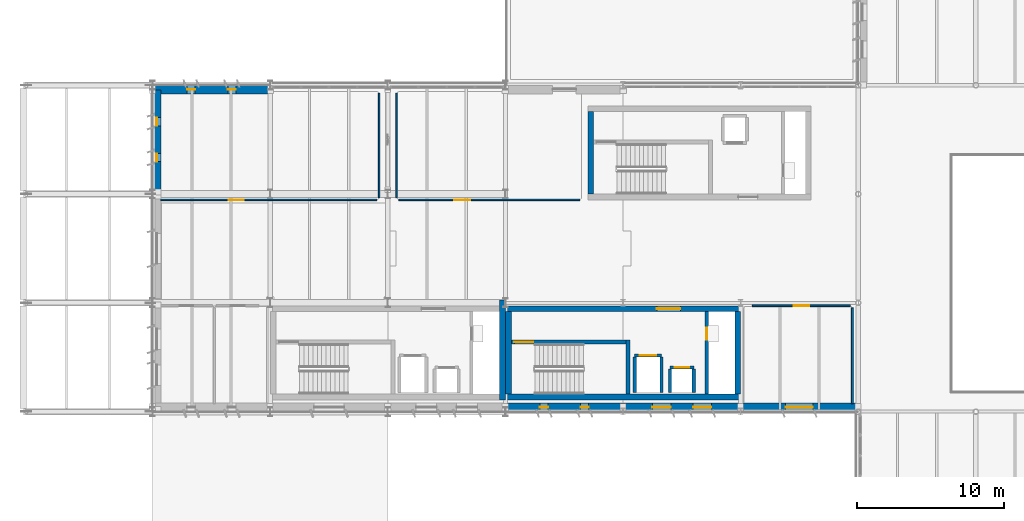
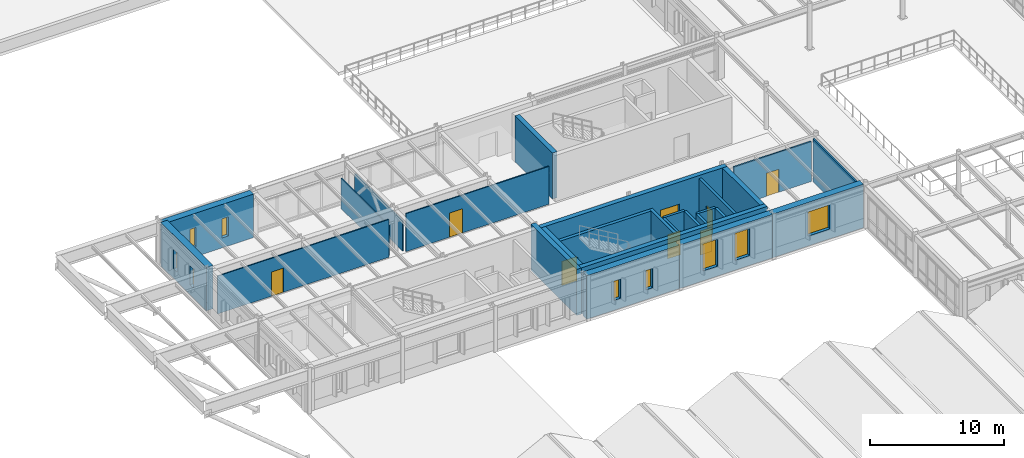
# One storey, part 40 of 63: 26 walls, 9 windows, 8 doors, 17 openings.
"""IFC4 building model written with IfcOpenShell, lengths in metres."""

from ifc_helpers import new_model, si_unit, direction, frame, frame_2d, origin, place, context, subcontext, project, spatial, rectangle, extrude, material, layer, layer_set, type_object, element, fill, save


model = new_model("IFC4")

# Units and contexts
model_context = context("Model", 3, precision=1e-05, world=origin(), true_north=direction((0.0, 1.0)))
body_context = subcontext(model_context, "Body", "Model", "MODEL_VIEW")
ifc_project = project(units=[si_unit("LENGTHUNIT", "METRE"), si_unit("AREAUNIT", "SQUARE_METRE"), si_unit("VOLUMEUNIT", "CUBIC_METRE"), si_unit("PLANEANGLEUNIT", "RADIAN"), si_unit("MASSUNIT", "GRAM", prefix="KILO")], contexts=[model_context])

# Site, building, storey
site_placement = place(None, origin())
site = spatial("IfcSite", under=ifc_project, at=site_placement, CompositionType="ELEMENT")
building_placement = place(site_placement, origin())
building = spatial("IfcBuilding", under=site, at=building_placement, Name="Valkorina Park Police Headquarters", CompositionType="ELEMENT")
storey_placement = place(building_placement, frame((0.0, 0.0, 9.89990234375)))
storey = spatial("IfcBuildingStorey", under=building, at=storey_placement, Name="L03", CompositionType="ELEMENT", Elevation=9.89990234375)

# Wall, opening, door
ifc_material_1 = material(Name="Autoclaved aerated concrete masonry", Category="masonry")
ifc_layer_1 = layer(ifc_material_1, 0.219970703125)
ifc_layer_set_1 = layer_set([ifc_layer_1], Name="Autoclaved aerated concrete masonry")
wall_type_1 = type_object("IfcWallType", Name="WL-CHASE-220-EI60", PredefinedType="PLUMBINGWALL", material=ifc_layer_set_1)
wall_1_placement = place(storey_placement, frame((41.590087890625, 40.81005859375, 0.0), z_axis=(0.0, 0.0, 1.0), x_axis=(1.0, 0.0, 0.0)))
wall_1 = element("IfcWall", 1, at=wall_1_placement, inside=storey, type_object=wall_type_1, Name="Lift LF-02 L03 Shaft Front Wall", PredefinedType="PLUMBINGWALL", context=body_context, shape_type="SweptSolid", body=[
    extrude(rectangle(XDim=1.81982421875, YDim=0.219970703125, at=frame_2d((0.909912109375, 0.0))), origin(), (0.0, 0.0, 1.0), 3.920166015625),
])
opening_1_placement = place(wall_1_placement, frame((0.360107421875, 0.0, 0.0)))
opening_1 = element("IfcOpeningElement", 2, at=opening_1_placement, cuts=wall_1, Name="Opening LD-01", PredefinedType="OPENING", context=body_context, shape_type="SweptSolid", body=[
    extrude(rectangle(XDim=1.10009765625, YDim=2.199951171875, at=frame_2d((0.550048828125, 1.10009765625))), frame((0.0, 0.1201171875, 0.0), z_axis=(0.0, -1.0, 0.0), x_axis=(1.0, 0.0, 0.0)), (0.0, 0.0, 1.0), 0.239990234375),
])
ifc_material_2 = material(Name="Stainless steel EN 1.4404", Category="steel")
ifc_layer_2 = layer(ifc_material_2, 0.050048828125)
ifc_layer_set_2 = layer_set([ifc_layer_2], Name="Stainless steel EN 1.4404")
door_type_1 = type_object("IfcDoorType", Name="DR-LIFT-FF-1100x2200", OperationType="NOTDEFINED", PredefinedType="DOOR", material=ifc_layer_set_2)
door_1_placement = place(opening_1_placement, origin())
door_1 = element("IfcDoor", 3, at=door_1_placement, inside=storey, type_object=door_type_1, Name="Lift Landing Door LF-02-L03", OperationType="DOUBLE_DOOR_SLIDING", OverallHeight=2.199951171875, OverallWidth=1.10009765625, PredefinedType="DOOR", context=body_context, shape_type="SweptSolid", body=[
    extrude(rectangle(XDim=1.10009765625, YDim=2.199951171875, at=frame_2d((0.550048828125, 1.10009765625))), frame((0.0, 0.02490234375, 0.0), z_axis=(0.0, -1.0, 0.0), x_axis=(1.0, 0.0, 0.0)), (0.0, 0.0, 1.0), 0.050048828125),
])
fill(opening_1, door_1)

# Walls
for number, where, z_axis, x_axis, name in (
    (4, (41.590087890625, 38.300048828125, 0.0), (0.0, 0.0, 1.0), (0.0, 1.0, 0.0), "Lift LF-02 L03 Shaft Side Wall W"),
    (5, (43.409912109375, 38.300048828125, 0.0), (0.0, 0.0, 1.0), (0.0, 1.0, 0.0), "Lift LF-02 L03 Shaft Side Wall E"),
):
    element("IfcWall", number, at=place(storey_placement, frame(where, z_axis=z_axis, x_axis=x_axis)), inside=storey, type_object=wall_type_1, Name=name, PredefinedType="PLUMBINGWALL", context=body_context, shape_type="SweptSolid", body=[
        extrude(rectangle(XDim=2.39990234375, YDim=0.219970703125, at=frame_2d((1.199951171875, 0.0))), origin(), (0.0, 0.0, 1.0), 3.920166015625),
    ])

# Wall, opening, door
wall_2_placement = place(storey_placement, frame((43.989990234375, 40.010009765625, 0.0), z_axis=(0.0, 0.0, 1.0), x_axis=(1.0, 0.0, 0.0)))
wall_2 = element("IfcWall", 6, at=wall_2_placement, inside=storey, type_object=wall_type_1, Name="Lift LF-04 L03 Shaft Front Wall", PredefinedType="PLUMBINGWALL", context=body_context, shape_type="SweptSolid", body=[
    extrude(rectangle(XDim=1.6201171875, YDim=0.219970703125, at=frame_2d((0.81005859375, 0.0))), origin(), (0.0, 0.0, 1.0), 3.920166015625),
])
opening_2_placement = place(wall_2_placement, frame((0.31005859375, 0.0, 0.0)))
opening_2 = element("IfcOpeningElement", 7, at=opening_2_placement, cuts=wall_2, Name="Opening LD-02", PredefinedType="OPENING", context=body_context, shape_type="SweptSolid", body=[
    extrude(rectangle(XDim=1.0, YDim=2.199951171875, at=frame_2d((0.5, 1.10009765625))), frame((0.0, 0.1201171875, 0.0), z_axis=(0.0, -1.0, 0.0), x_axis=(1.0, 0.0, 0.0)), (0.0, 0.0, 1.0), 0.239990234375),
])
ifc_layer_3 = layer(ifc_material_2, 0.050048828125)
ifc_layer_set_3 = layer_set([ifc_layer_3], Name="Stainless steel EN 1.4404")
door_type_2 = type_object("IfcDoorType", Name="DR-LIFT-PAX-1000x2200", OperationType="NOTDEFINED", PredefinedType="DOOR", material=ifc_layer_set_3)
door_2_placement = place(opening_2_placement, origin())
door_2 = element("IfcDoor", 8, at=door_2_placement, inside=storey, type_object=door_type_2, Name="Lift Landing Door LF-04-L03", OperationType="DOUBLE_DOOR_SLIDING", OverallHeight=2.199951171875, OverallWidth=1.0, PredefinedType="DOOR", context=body_context, shape_type="SweptSolid", body=[
    extrude(rectangle(XDim=1.0, YDim=2.199951171875, at=frame_2d((0.5, 1.10009765625))), frame((0.0, 0.02490234375, 0.0), z_axis=(0.0, -1.0, 0.0), x_axis=(1.0, 0.0, 0.0)), (0.0, 0.0, 1.0), 0.050048828125),
])
fill(opening_2, door_2)

# Walls
for number, where, z_axis, x_axis, name in (
    (9, (43.989990234375, 38.300048828125, 0.0), (0.0, 0.0, 1.0), (0.0, 1.0, 0.0), "Lift LF-04 L03 Shaft Side Wall W"),
    (10, (45.610107421875, 38.300048828125, 0.0), (0.0, 0.0, 1.0), (0.0, 1.0, 0.0), "Lift LF-04 L03 Shaft Side Wall E"),
):
    element("IfcWall", number, at=place(storey_placement, frame(where, z_axis=z_axis, x_axis=x_axis)), inside=storey, type_object=wall_type_1, Name=name, PredefinedType="PLUMBINGWALL", context=body_context, shape_type="SweptSolid", body=[
        extrude(rectangle(XDim=1.599853515625, YDim=0.219970703125, at=frame_2d((0.7998046875, 0.0))), origin(), (0.0, 0.0, 1.0), 3.920166015625),
    ])

# Wall, opening, door
wall_3_placement = place(storey_placement, frame((46.489990234375, 38.199951171875, 0.0), z_axis=(0.0, 0.0, 1.0), x_axis=(0.0, 1.0, 0.0)))
wall_3 = element("IfcWall", 11, at=wall_3_placement, inside=storey, type_object=wall_type_1, Name="Core C2 L03 Riser Shaft West Wall", PredefinedType="PLUMBINGWALL", context=body_context, shape_type="SweptSolid", body=[
    extrude(rectangle(XDim=5.60009765625, YDim=0.219970703125, at=frame_2d((2.800048828125, 0.0))), origin(), (0.0, 0.0, 1.0), 3.920166015625),
])
opening_3_placement = place(wall_3_placement, frame((3.699951171875, 0.0, 0.0)))
opening_3 = element("IfcOpeningElement", 12, at=opening_3_placement, cuts=wall_3, Name="Opening ID-01", PredefinedType="OPENING", context=body_context, shape_type="SweptSolid", body=[
    extrude(rectangle(XDim=0.800048828125, YDim=2.10009765625, at=frame_2d((0.39990234375, 1.050048828125))), frame((0.0, 0.1201171875, 0.0), z_axis=(0.0, -1.0, 0.0), x_axis=(1.0, 0.0, 0.0)), (0.0, 0.0, 1.0), 0.239990234375),
])
ifc_material_3 = material(Name="Galvanized steel door leaf", Category="steel")
ifc_layer_4 = layer(ifc_material_3, 0.050048828125)
ifc_layer_set_4 = layer_set([ifc_layer_4], Name="Galvanized steel door leaf")
door_type_3 = type_object("IfcDoorType", Name="DR-INT-RISER-800x2100", OperationType="NOTDEFINED", PredefinedType="DOOR", material=ifc_layer_set_4)
door_3_placement = place(opening_3_placement, origin())
door_3 = element("IfcDoor", 13, at=door_3_placement, inside=storey, type_object=door_type_3, Name="Riser Shaft Access Door C2-L03", OperationType="SINGLE_SWING_LEFT", OverallHeight=2.10009765625, OverallWidth=0.800048828125, PredefinedType="DOOR", context=body_context, shape_type="SweptSolid", body=[
    extrude(rectangle(XDim=0.800048828125, YDim=2.10009765625, at=frame_2d((0.39990234375, 1.050048828125))), frame((0.0, 0.02490234375, 0.0), z_axis=(0.0, -1.0, 0.0), x_axis=(1.0, 0.0, 0.0)), (0.0, 0.0, 1.0), 0.050048828125),
])
fill(opening_3, door_3)

# Walls
ifc_material_4 = material(Name="Concrete C40/50", Category="concrete")
ifc_layer_5 = layer(ifc_material_4, 0.39990234375)
ifc_layer_set_5 = layer_set([ifc_layer_5], Name="Concrete C40/50")
wall_type_2 = type_object("IfcWallType", Name="WL-CORE-400-REI180", PredefinedType="SHEAR", material=ifc_layer_set_5)
wall_4_placement = place(storey_placement, frame((32.60009765625, 37.800048828125, 0.0), z_axis=(0.0, 0.0, 1.0), x_axis=(0.0, 1.0, 0.0)))
element("IfcWall", 14, at=wall_4_placement, inside=storey, type_object=wall_type_2, Name="Core C1 L03 Shear Wall E", PredefinedType="SHEAR", context=body_context, shape_type="SweptSolid", body=[
    extrude(rectangle(XDim=6.800048828125, YDim=0.39990234375, at=frame_2d((3.39990234375, 0.0))), origin(), (0.0, 0.0, 1.0), 4.195068359375),
])
wall_5_placement = place(storey_placement, frame((32.800048828125, 38.0, 0.0), z_axis=(0.0, 0.0, 1.0), x_axis=(1.0, 0.0, 0.0)))
element("IfcWall", 15, at=wall_5_placement, inside=storey, type_object=wall_type_2, Name="Core C2 L03 Shear Wall S", PredefinedType="SHEAR", context=body_context, shape_type="SweptSolid", body=[
    extrude(rectangle(XDim=16.0, YDim=0.39990234375, at=frame_2d((8.0, 0.0))), origin(), (0.0, 0.0, 1.0), 4.195068359375),
])

# Wall, opening, door
wall_6_placement = place(storey_placement, frame((32.800048828125, 44.0, 0.0), z_axis=(0.0, 0.0, 1.0), x_axis=(1.0, 0.0, 0.0)))
wall_6 = element("IfcWall", 16, at=wall_6_placement, inside=storey, type_object=wall_type_2, Name="Core C2 L03 Shear Wall N", PredefinedType="SHEAR", context=body_context, shape_type="SweptSolid", body=[
    extrude(rectangle(XDim=16.0, YDim=0.39990234375, at=frame_2d((8.0, 0.0))), origin(), (0.0, 0.0, 1.0), 4.195068359375),
])
opening_4_placement = place(wall_6_placement, frame((10.300048828125, 0.0, 0.0)))
opening_4 = element("IfcOpeningElement", 17, at=opening_4_placement, cuts=wall_6, Name="Opening FD-04", PredefinedType="OPENING", context=body_context, shape_type="SweptSolid", body=[
    extrude(rectangle(XDim=1.60009765625, YDim=2.199951171875, at=frame_2d((0.800048828125, 1.10009765625))), frame((0.0, 0.2099609375, 0.0), z_axis=(0.0, -1.0, 0.0), x_axis=(1.0, 0.0, 0.0)), (0.0, 0.0, 1.0), 0.419921875),
])
ifc_layer_6 = layer(ifc_material_3, 0.050048828125)
ifc_layer_set_6 = layer_set([ifc_layer_6], Name="Galvanized steel door leaf")
door_type_4 = type_object("IfcDoorType", Name="DR-FIRE-FFL-1600x2200", OperationType="NOTDEFINED", PredefinedType="DOOR", material=ifc_layer_set_6)
door_4_placement = place(opening_4_placement, origin())
door_4 = element("IfcDoor", 18, at=door_4_placement, inside=storey, type_object=door_type_4, Name="Door D-L03-FFL-C2 (Firefighting Lift Lobby Door)", OperationType="DOUBLE_DOOR_SINGLE_SWING", OverallHeight=2.199951171875, OverallWidth=1.60009765625, PredefinedType="DOOR", context=body_context, shape_type="SweptSolid", body=[
    extrude(rectangle(XDim=1.60009765625, YDim=2.199951171875, at=frame_2d((0.800048828125, 1.10009765625))), frame((0.0, 0.02490234375, 0.0), z_axis=(0.0, -1.0, 0.0), x_axis=(1.0, 0.0, 0.0)), (0.0, 0.0, 1.0), 0.050048828125),
])
fill(opening_4, door_4)

# Walls
for number, where, z_axis, x_axis, name in (
    (19, (33.0, 38.199951171875, 0.0), (0.0, 0.0, 1.0), (0.0, 1.0, 0.0), "Core C2 L03 Shear Wall W"),
    (20, (48.60009765625, 38.199951171875, 0.0), (0.0, 0.0, 1.0), (0.0, 1.0, 0.0), "Core C2 L03 Shear Wall E"),
):
    element("IfcWall", number, at=place(storey_placement, frame(where, z_axis=z_axis, x_axis=x_axis)), inside=storey, type_object=wall_type_2, Name=name, PredefinedType="SHEAR", context=body_context, shape_type="SweptSolid", body=[
        extrude(rectangle(XDim=5.60009765625, YDim=0.39990234375, at=frame_2d((2.800048828125, 0.0))), origin(), (0.0, 0.0, 1.0), 4.195068359375),
    ])
wall_7_placement = place(storey_placement, frame((38.60009765625, 51.800048828125, 0.0), z_axis=(0.0, 0.0, 1.0), x_axis=(0.0, 1.0, 0.0)))
element("IfcWall", 21, at=wall_7_placement, inside=storey, type_object=wall_type_2, Name="Core C3 L03 Shear Wall W", PredefinedType="SHEAR", context=body_context, shape_type="SweptSolid", body=[
    extrude(rectangle(XDim=5.599853515625, YDim=0.39990234375, at=frame_2d((2.7998046875, 0.0))), origin(), (0.0, 0.0, 1.0), 4.195068359375),
])

# Wall, openings, windows
ifc_material_5 = material(Name="Concrete C35/45", Category="concrete")
ifc_layer_7 = layer(ifc_material_5, 0.580078125)
ifc_layer_set_7 = layer_set([ifc_layer_7], Name="Concrete C35/45")
wall_type_3 = type_object("IfcWallType", Name="WL-EXT-BOARD-580", PredefinedType="STANDARD", material=ifc_layer_set_7)
wall_8_placement = place(storey_placement, frame((8.9599609375, 58.909912109375, 0.0), z_axis=(0.0, 0.0, 1.0), x_axis=(1.0, 0.0, 0.0)))
wall_8 = element("IfcWall", 22, at=wall_8_placement, inside=storey, type_object=wall_type_3, Name="L03 Architectural Concrete Exterior Wall 0186", PredefinedType="STANDARD", context=body_context, shape_type="SweptSolid", body=[
    extrude(rectangle(XDim=7.679931640625, YDim=0.580078125, at=frame_2d((3.83984375, 0.0))), origin(), (0.0, 0.0, 1.0), 3.955078125),
])
opening_5_placement = place(wall_8_placement, frame((2.1826171875, 0.0, 0.89990234375)))
opening_5 = element("IfcOpeningElement", 23, at=opening_5_placement, cuts=wall_8, Name="Opening WN-02", PredefinedType="OPENING", context=body_context, shape_type="SweptSolid", body=[
    extrude(rectangle(XDim=0.550048828125, YDim=1.75, at=frame_2d((0.27490234375, 0.875))), frame((0.0, 0.300048828125, 0.0), z_axis=(0.0, -1.0, 0.0), x_axis=(1.0, 0.0, 0.0)), (0.0, 0.0, 1.0), 0.60009765625),
])
opening_6_placement = place(wall_8_placement, frame((4.947509765625, 0.0, 0.89990234375)))
opening_6 = element("IfcOpeningElement", 24, at=opening_6_placement, cuts=wall_8, Name="Opening WN-02", PredefinedType="OPENING", context=body_context, shape_type="SweptSolid", body=[
    extrude(rectangle(XDim=0.550048828125, YDim=1.75, at=frame_2d((0.27490234375, 0.875))), frame((0.0, 0.300048828125, 0.0), z_axis=(0.0, -1.0, 0.0), x_axis=(1.0, 0.0, 0.0)), (0.0, 0.0, 1.0), 0.60009765625),
])
ifc_material_6 = material(Name="Triple low-E insulated glazing", Category="glass")
ifc_layer_8 = layer(ifc_material_6, 0.06005859375)
ifc_layer_set_8 = layer_set([ifc_layer_8], Name="Triple low-E insulated glazing")
window_type_1 = type_object("IfcWindowType", Name="WN-SLOT-550x1750", PartitioningType="SINGLE_PANEL", PredefinedType="WINDOW", material=ifc_layer_set_8)
window_1_placement = place(opening_5_placement, origin())
window_1 = element("IfcWindow", 25, at=window_1_placement, inside=storey, type_object=window_type_1, Name="Window L03-0309", OverallHeight=1.75, OverallWidth=0.550048828125, PartitioningType="SINGLE_PANEL", PredefinedType="WINDOW", context=body_context, shape_type="SweptSolid", body=[
    extrude(rectangle(XDim=0.550048828125, YDim=1.75, at=frame_2d((0.27490234375, 0.875))), frame((0.0, 0.030029296875, 0.0), z_axis=(0.0, -1.0, 0.0), x_axis=(1.0, 0.0, 0.0)), (0.0, 0.0, 1.0), 0.06005859375),
])
fill(opening_5, window_1)
window_2_placement = place(opening_6_placement, origin())
window_2 = element("IfcWindow", 26, at=window_2_placement, inside=storey, type_object=window_type_1, Name="Window L03-0310", OverallHeight=1.75, OverallWidth=0.550048828125, PartitioningType="SINGLE_PANEL", PredefinedType="WINDOW", context=body_context, shape_type="SweptSolid", body=[
    extrude(rectangle(XDim=0.550048828125, YDim=1.75, at=frame_2d((0.27490234375, 0.875))), frame((0.0, 0.030029296875, 0.0), z_axis=(0.0, -1.0, 0.0), x_axis=(1.0, 0.0, 0.0)), (0.0, 0.0, 1.0), 0.06005859375),
])
fill(opening_6, window_2)

# Wall, opening, window
wall_9_placement = place(storey_placement, frame((56.6123046875, 37.2900390625, 0.0), z_axis=(0.0, 0.0, 1.0), x_axis=(-1.0, 0.0, 0.0)))
wall_9 = element("IfcWall", 27, at=wall_9_placement, inside=storey, type_object=wall_type_3, Name="L03 Architectural Concrete Exterior Wall 0226", PredefinedType="STANDARD", context=body_context, shape_type="SweptSolid", body=[
    extrude(rectangle(XDim=7.812255859375, YDim=0.580078125, at=frame_2d((3.90625, 0.0))), origin(), (0.0, 0.0, 1.0), 3.955078125),
])
opening_7_placement = place(wall_9_placement, frame((2.901123046875, 0.0, 0.89990234375)))
opening_7 = element("IfcOpeningElement", 28, at=opening_7_placement, cuts=wall_9, Name="Opening WN-30", PredefinedType="OPENING", context=body_context, shape_type="SweptSolid", body=[
    extrude(rectangle(XDim=1.85009765625, YDim=2.199951171875, at=frame_2d((0.925048828125, 1.10009765625))), frame((0.0, 0.300048828125, 0.0), z_axis=(0.0, -1.0, 0.0), x_axis=(1.0, 0.0, 0.0)), (0.0, 0.0, 1.0), 0.60009765625),
])
ifc_layer_9 = layer(ifc_material_6, 0.06005859375)
ifc_layer_set_9 = layer_set([ifc_layer_9], Name="Triple low-E insulated glazing")
window_type_2 = type_object("IfcWindowType", Name="WN-OFF-1850x2200", PartitioningType="SINGLE_PANEL", PredefinedType="WINDOW", material=ifc_layer_set_9)
window_3_placement = place(opening_7_placement, origin())
window_3 = element("IfcWindow", 29, at=window_3_placement, inside=storey, type_object=window_type_2, Name="Window L03-0384", OverallHeight=2.199951171875, OverallWidth=1.85009765625, PartitioningType="SINGLE_PANEL", PredefinedType="WINDOW", context=body_context, shape_type="SweptSolid", body=[
    extrude(rectangle(XDim=1.85009765625, YDim=2.199951171875, at=frame_2d((0.925048828125, 1.10009765625))), frame((0.0, 0.030029296875, 0.0), z_axis=(0.0, -1.0, 0.0), x_axis=(1.0, 0.0, 0.0)), (0.0, 0.0, 1.0), 0.06005859375),
])
fill(opening_7, window_3)

# Wall, openings, windows
wall_10_placement = place(storey_placement, frame((48.800048828125, 37.2900390625, 0.0), z_axis=(0.0, 0.0, 1.0), x_axis=(-1.0, 0.0, 0.0)))
wall_10 = element("IfcWall", 30, at=wall_10_placement, inside=storey, type_object=wall_type_3, Name="L03 Architectural Concrete Exterior Wall 0227", PredefinedType="STANDARD", context=body_context, shape_type="SweptSolid", body=[
    extrude(rectangle(XDim=8.0, YDim=0.580078125, at=frame_2d((4.0, 0.0))), origin(), (0.0, 0.0, 1.0), 3.955078125),
])
opening_8_placement = place(wall_10_placement, frame((1.99267578125, 0.0, 0.89990234375)))
opening_8 = element("IfcOpeningElement", 31, at=opening_8_placement, cuts=wall_10, Name="Opening WN-23", PredefinedType="OPENING", context=body_context, shape_type="SweptSolid", body=[
    extrude(rectangle(XDim=1.25, YDim=2.449951171875, at=frame_2d((0.625, 1.22509765625))), frame((0.0, 0.300048828125, 0.0), z_axis=(0.0, -1.0, 0.0), x_axis=(1.0, 0.0, 0.0)), (0.0, 0.0, 1.0), 0.60009765625),
])
opening_9_placement = place(wall_10_placement, frame((4.75732421875, 0.0, 0.89990234375)))
opening_9 = element("IfcOpeningElement", 32, at=opening_9_placement, cuts=wall_10, Name="Opening WN-23", PredefinedType="OPENING", context=body_context, shape_type="SweptSolid", body=[
    extrude(rectangle(XDim=1.25, YDim=2.449951171875, at=frame_2d((0.625, 1.22509765625))), frame((0.0, 0.300048828125, 0.0), z_axis=(0.0, -1.0, 0.0), x_axis=(1.0, 0.0, 0.0)), (0.0, 0.0, 1.0), 0.60009765625),
])
ifc_layer_10 = layer(ifc_material_6, 0.06005859375)
ifc_layer_set_10 = layer_set([ifc_layer_10], Name="Triple low-E insulated glazing")
window_type_3 = type_object("IfcWindowType", Name="WN-LAB-1250x2450", PartitioningType="SINGLE_PANEL", PredefinedType="WINDOW", material=ifc_layer_set_10)
window_4_placement = place(opening_8_placement, origin())
window_4 = element("IfcWindow", 33, at=window_4_placement, inside=storey, type_object=window_type_3, Name="Window L03-0385", OverallHeight=2.449951171875, OverallWidth=1.25, PartitioningType="SINGLE_PANEL", PredefinedType="WINDOW", context=body_context, shape_type="SweptSolid", body=[
    extrude(rectangle(XDim=1.25, YDim=2.449951171875, at=frame_2d((0.625, 1.22509765625))), frame((0.0, 0.030029296875, 0.0), z_axis=(0.0, -1.0, 0.0), x_axis=(1.0, 0.0, 0.0)), (0.0, 0.0, 1.0), 0.06005859375),
])
fill(opening_8, window_4)
window_5_placement = place(opening_9_placement, origin())
window_5 = element("IfcWindow", 34, at=window_5_placement, inside=storey, type_object=window_type_3, Name="Window L03-0386", OverallHeight=2.449951171875, OverallWidth=1.25, PartitioningType="SINGLE_PANEL", PredefinedType="WINDOW", context=body_context, shape_type="SweptSolid", body=[
    extrude(rectangle(XDim=1.25, YDim=2.449951171875, at=frame_2d((0.625, 1.22509765625))), frame((0.0, 0.030029296875, 0.0), z_axis=(0.0, -1.0, 0.0), x_axis=(1.0, 0.0, 0.0)), (0.0, 0.0, 1.0), 0.06005859375),
])
fill(opening_9, window_5)

wall_11_placement = place(storey_placement, frame((40.800048828125, 37.2900390625, 0.0), z_axis=(0.0, 0.0, 1.0), x_axis=(-1.0, 0.0, 0.0)))
wall_11 = element("IfcWall", 35, at=wall_11_placement, inside=storey, type_object=wall_type_3, Name="L03 Architectural Concrete Exterior Wall 0228", PredefinedType="STANDARD", context=body_context, shape_type="SweptSolid", body=[
    extrude(rectangle(XDim=8.0, YDim=0.580078125, at=frame_2d((4.0, 0.0))), origin(), (0.0, 0.0, 1.0), 3.955078125),
])
opening_10_placement = place(wall_11_placement, frame((2.342529296875, 0.0, 0.89990234375)))
opening_10 = element("IfcOpeningElement", 36, at=opening_10_placement, cuts=wall_11, Name="Opening WN-02", PredefinedType="OPENING", context=body_context, shape_type="SweptSolid", body=[
    extrude(rectangle(XDim=0.550048828125, YDim=1.75, at=frame_2d((0.27490234375, 0.875))), frame((0.0, 0.300048828125, 0.0), z_axis=(0.0, -1.0, 0.0), x_axis=(1.0, 0.0, 0.0)), (0.0, 0.0, 1.0), 0.60009765625),
])
opening_11_placement = place(wall_11_placement, frame((5.107421875, 0.0, 0.89990234375)))
opening_11 = element("IfcOpeningElement", 37, at=opening_11_placement, cuts=wall_11, Name="Opening WN-02", PredefinedType="OPENING", context=body_context, shape_type="SweptSolid", body=[
    extrude(rectangle(XDim=0.550048828125, YDim=1.75, at=frame_2d((0.27490234375, 0.875))), frame((0.0, 0.300048828125, 0.0), z_axis=(0.0, -1.0, 0.0), x_axis=(1.0, 0.0, 0.0)), (0.0, 0.0, 1.0), 0.60009765625),
])
window_6_placement = place(opening_10_placement, origin())
window_6 = element("IfcWindow", 38, at=window_6_placement, inside=storey, type_object=window_type_1, Name="Window L03-0387", OverallHeight=1.75, OverallWidth=0.550048828125, PartitioningType="SINGLE_PANEL", PredefinedType="WINDOW", context=body_context, shape_type="SweptSolid", body=[
    extrude(rectangle(XDim=0.550048828125, YDim=1.75, at=frame_2d((0.27490234375, 0.875))), frame((0.0, 0.030029296875, 0.0), z_axis=(0.0, -1.0, 0.0), x_axis=(1.0, 0.0, 0.0)), (0.0, 0.0, 1.0), 0.06005859375),
])
fill(opening_10, window_6)
window_7_placement = place(opening_11_placement, origin())
window_7 = element("IfcWindow", 39, at=window_7_placement, inside=storey, type_object=window_type_1, Name="Window L03-0388", OverallHeight=1.75, OverallWidth=0.550048828125, PartitioningType="SINGLE_PANEL", PredefinedType="WINDOW", context=body_context, shape_type="SweptSolid", body=[
    extrude(rectangle(XDim=0.550048828125, YDim=1.75, at=frame_2d((0.27490234375, 0.875))), frame((0.0, 0.030029296875, 0.0), z_axis=(0.0, -1.0, 0.0), x_axis=(1.0, 0.0, 0.0)), (0.0, 0.0, 1.0), 0.06005859375),
])
fill(opening_11, window_7)

wall_12_placement = place(storey_placement, frame((9.090087890625, 52.110107421875, 0.0), z_axis=(0.0, 0.0, 1.0), x_axis=(0.0, 1.0, 0.0)))
wall_12 = element("IfcWall", 40, at=wall_12_placement, inside=storey, type_object=wall_type_3, Name="L03 Architectural Concrete Exterior Wall 0234", PredefinedType="STANDARD", context=body_context, shape_type="SweptSolid", body=[
    extrude(rectangle(XDim=6.77978515625, YDim=0.580078125, at=frame_2d((3.389892578125, 0.0))), origin(), (0.0, 0.0, 1.0), 3.955078125),
])
opening_12_placement = place(wall_12_placement, frame((1.89453125, 0.0, 0.89990234375)))
opening_12 = element("IfcOpeningElement", 41, at=opening_12_placement, cuts=wall_12, Name="Opening WN-02", PredefinedType="OPENING", context=body_context, shape_type="SweptSolid", body=[
    extrude(rectangle(XDim=0.550048828125, YDim=1.75, at=frame_2d((0.27490234375, 0.875))), frame((0.0, 0.300048828125, 0.0), z_axis=(0.0, -1.0, 0.0), x_axis=(1.0, 0.0, 0.0)), (0.0, 0.0, 1.0), 0.60009765625),
])
opening_13_placement = place(wall_12_placement, frame((4.33544921875, 0.0, 0.89990234375)))
opening_13 = element("IfcOpeningElement", 42, at=opening_13_placement, cuts=wall_12, Name="Opening WN-02", PredefinedType="OPENING", context=body_context, shape_type="SweptSolid", body=[
    extrude(rectangle(XDim=0.550048828125, YDim=1.75, at=frame_2d((0.27490234375, 0.875))), frame((0.0, 0.300048828125, 0.0), z_axis=(0.0, -1.0, 0.0), x_axis=(1.0, 0.0, 0.0)), (0.0, 0.0, 1.0), 0.60009765625),
])
window_8_placement = place(opening_12_placement, origin())
window_8 = element("IfcWindow", 43, at=window_8_placement, inside=storey, type_object=window_type_1, Name="Window L03-0397", OverallHeight=1.75, OverallWidth=0.550048828125, PartitioningType="SINGLE_PANEL", PredefinedType="WINDOW", context=body_context, shape_type="SweptSolid", body=[
    extrude(rectangle(XDim=0.550048828125, YDim=1.75, at=frame_2d((0.27490234375, 0.875))), frame((0.0, 0.030029296875, 0.0), z_axis=(0.0, -1.0, 0.0), x_axis=(1.0, 0.0, 0.0)), (0.0, 0.0, 1.0), 0.06005859375),
])
fill(opening_12, window_8)
window_9_placement = place(opening_13_placement, origin())
window_9 = element("IfcWindow", 44, at=window_9_placement, inside=storey, type_object=window_type_1, Name="Window L03-0398", OverallHeight=1.75, OverallWidth=0.550048828125, PartitioningType="SINGLE_PANEL", PredefinedType="WINDOW", context=body_context, shape_type="SweptSolid", body=[
    extrude(rectangle(XDim=0.550048828125, YDim=1.75, at=frame_2d((0.27490234375, 0.875))), frame((0.0, 0.030029296875, 0.0), z_axis=(0.0, -1.0, 0.0), x_axis=(1.0, 0.0, 0.0)), (0.0, 0.0, 1.0), 0.06005859375),
])
fill(opening_13, window_9)

# Wall, opening, door
ifc_material_7 = material(Name="Gypsum plasterboard")
ifc_layer_11 = layer(ifc_material_7, 0.10009765625)
ifc_layer_set_11 = layer_set([ifc_layer_11], Name="Gypsum plasterboard")
wall_type_4 = type_object("IfcWallType", Name="WL-PART-100", PredefinedType="PARTITIONING", material=ifc_layer_set_11)
wall_13_placement = place(storey_placement, frame((9.340087890625, 51.39990234375, 0.0), z_axis=(0.0, 0.0, 1.0), x_axis=(1.0, 0.0, 0.0)))
wall_13 = element("IfcWall", 45, at=wall_13_placement, inside=storey, type_object=wall_type_4, Name="L03 Interior Partition 0161 (L03-INV-01)", PredefinedType="PARTITIONING", context=body_context, shape_type="SweptSolid", body=[
    extrude(rectangle(XDim=14.719970703125, YDim=0.10009765625, at=frame_2d((7.35986328125, 0.0))), origin(), (0.0, 0.0, 1.0), 3.445068359375),
])
opening_14_placement = place(wall_13_placement, frame((4.652099609375, 0.0, 0.0)))
opening_14 = element("IfcOpeningElement", 46, at=opening_14_placement, cuts=wall_13, Name="Opening ID-04", PredefinedType="OPENING", context=body_context, shape_type="SweptSolid", body=[
    extrude(rectangle(XDim=1.0, YDim=2.199951171875, at=frame_2d((0.5, 1.10009765625))), frame((0.0, 0.06005859375, 0.0), z_axis=(0.0, -1.0, 0.0), x_axis=(1.0, 0.0, 0.0)), (0.0, 0.0, 1.0), 0.1201171875),
])
ifc_material_8 = material(Name="Thermally broken aluminium AW-6060", Category="aluminium")
ifc_layer_12 = layer(ifc_material_8, 0.050048828125)
ifc_layer_set_12 = layer_set([ifc_layer_12], Name="Thermally broken aluminium AW-6060")
door_type_5 = type_object("IfcDoorType", Name="DR-INT-OFF-1000x2200", OperationType="NOTDEFINED", PredefinedType="DOOR", material=ifc_layer_set_12)
door_5_placement = place(opening_14_placement, origin())
door_5 = element("IfcDoor", 47, at=door_5_placement, inside=storey, type_object=door_type_5, Name="Door D-L03-I075 (L03-INV-01)", OperationType="SINGLE_SWING_RIGHT", OverallHeight=2.199951171875, OverallWidth=1.0, PredefinedType="DOOR", context=body_context, shape_type="SweptSolid", body=[
    extrude(rectangle(XDim=1.0, YDim=2.199951171875, at=frame_2d((0.5, 1.10009765625))), frame((0.0, 0.02490234375, 0.0), z_axis=(0.0, -1.0, 0.0), x_axis=(1.0, 0.0, 0.0)), (0.0, 0.0, 1.0), 0.050048828125),
])
fill(opening_14, door_5)

# Wall
wall_14_placement = place(storey_placement, frame((24.199951171875, 51.5400390625, 0.0), z_axis=(0.0, 0.0, 1.0), x_axis=(0.0, 1.0, 0.0)))
element("IfcWall", 48, at=wall_14_placement, inside=storey, type_object=wall_type_4, Name="L03 Interior Partition 0162 (L03-INV-01)", PredefinedType="PARTITIONING", context=body_context, shape_type="SweptSolid", body=[
    extrude(rectangle(XDim=7.119873046875, YDim=0.10009765625, at=frame_2d((3.56005859375, 0.0))), origin(), (0.0, 0.0, 1.0), 2.735107421875),
])

# Wall, opening, door
wall_15_placement = place(storey_placement, frame((25.5400390625, 51.39990234375, 0.0), z_axis=(0.0, 0.0, 1.0), x_axis=(1.0, 0.0, 0.0)))
wall_15 = element("IfcWall", 49, at=wall_15_placement, inside=storey, type_object=wall_type_4, Name="L03 Interior Partition 0163 (L03-INV-02)", PredefinedType="PARTITIONING", context=body_context, shape_type="SweptSolid", body=[
    extrude(rectangle(XDim=12.320068359375, YDim=0.10009765625, at=frame_2d((6.16015625, 0.0))), origin(), (0.0, 0.0, 1.0), 3.445068359375),
])
opening_15_placement = place(wall_15_placement, frame((3.761962890625, 0.0, 0.0)))
opening_15 = element("IfcOpeningElement", 50, at=opening_15_placement, cuts=wall_15, Name="Opening ID-05", PredefinedType="OPENING", context=body_context, shape_type="SweptSolid", body=[
    extrude(rectangle(XDim=1.10009765625, YDim=2.199951171875, at=frame_2d((0.550048828125, 1.10009765625))), frame((0.0, 0.06005859375, 0.0), z_axis=(0.0, -1.0, 0.0), x_axis=(1.0, 0.0, 0.0)), (0.0, 0.0, 1.0), 0.1201171875),
])
ifc_layer_13 = layer(ifc_material_8, 0.050048828125)
ifc_layer_set_13 = layer_set([ifc_layer_13], Name="Thermally broken aluminium AW-6060")
door_type_6 = type_object("IfcDoorType", Name="DR-INT-INV-1100x2200", OperationType="NOTDEFINED", PredefinedType="DOOR", material=ifc_layer_set_13)
door_6_placement = place(opening_15_placement, origin())
door_6 = element("IfcDoor", 51, at=door_6_placement, inside=storey, type_object=door_type_6, Name="Door D-L03-I076 (L03-INV-02)", OperationType="SINGLE_SWING_LEFT", OverallHeight=2.199951171875, OverallWidth=1.10009765625, PredefinedType="DOOR", context=body_context, shape_type="SweptSolid", body=[
    extrude(rectangle(XDim=1.10009765625, YDim=2.199951171875, at=frame_2d((0.550048828125, 1.10009765625))), frame((0.0, 0.02490234375, 0.0), z_axis=(0.0, -1.0, 0.0), x_axis=(1.0, 0.0, 0.0)), (0.0, 0.0, 1.0), 0.050048828125),
])
fill(opening_15, door_6)

# Wall
wall_16_placement = place(storey_placement, frame((25.39990234375, 51.5400390625, 0.0), z_axis=(0.0, 0.0, 1.0), x_axis=(0.0, 1.0, 0.0)))
element("IfcWall", 52, at=wall_16_placement, inside=storey, type_object=wall_type_4, Name="L03 Interior Partition 0164 (L03-INV-02)", PredefinedType="PARTITIONING", context=body_context, shape_type="SweptSolid", body=[
    extrude(rectangle(XDim=7.119873046875, YDim=0.10009765625, at=frame_2d((3.56005859375, 0.0))), origin(), (0.0, 0.0, 1.0), 2.735107421875),
])

# Wall, opening, door
ifc_layer_14 = layer(ifc_material_7, 0.125)
ifc_layer_set_14 = layer_set([ifc_layer_14], Name="Gypsum plasterboard")
wall_type_5 = type_object("IfcWallType", Name="WL-PART-125-EI30", PredefinedType="PARTITIONING", material=ifc_layer_set_14)
wall_17_placement = place(storey_placement, frame((49.590087890625, 44.199951171875, 0.0), z_axis=(0.0, 0.0, 1.0), x_axis=(1.0, 0.0, 0.0)))
wall_17 = element("IfcWall", 53, at=wall_17_placement, inside=storey, type_object=wall_type_5, Name="L03 Interior Partition 0168 (L03-WC-A)", PredefinedType="PARTITIONING", context=body_context, shape_type="SweptSolid", body=[
    extrude(rectangle(XDim=6.669921875, YDim=0.125, at=frame_2d((3.3349609375, 0.0))), origin(), (0.0, 0.0, 1.0), 3.635009765625),
])
opening_16_placement = place(wall_17_placement, frame((2.81005859375, 0.0, 0.0)))
opening_16 = element("IfcOpeningElement", 54, at=opening_16_placement, cuts=wall_17, Name="Opening ID-03", PredefinedType="OPENING", context=body_context, shape_type="SweptSolid", body=[
    extrude(rectangle(XDim=1.050048828125, YDim=2.10009765625, at=frame_2d((0.52490234375, 1.050048828125))), frame((0.0, 0.072509765625, 0.0), z_axis=(0.0, -1.0, 0.0), x_axis=(1.0, 0.0, 0.0)), (0.0, 0.0, 1.0), 0.14501953125),
])
ifc_layer_15 = layer(ifc_material_8, 0.050048828125)
ifc_layer_set_15 = layer_set([ifc_layer_15], Name="Thermally broken aluminium AW-6060")
door_type_7 = type_object("IfcDoorType", Name="DR-INT-ACC-1050x2100", OperationType="NOTDEFINED", PredefinedType="DOOR", material=ifc_layer_set_15)
door_7_placement = place(opening_16_placement, origin())
door_7 = element("IfcDoor", 55, at=door_7_placement, inside=storey, type_object=door_type_7, Name="Door D-L03-I079 (L03-WC-A)", OperationType="SINGLE_SWING_RIGHT", OverallHeight=2.10009765625, OverallWidth=1.050048828125, PredefinedType="DOOR", context=body_context, shape_type="SweptSolid", body=[
    extrude(rectangle(XDim=1.050048828125, YDim=2.10009765625, at=frame_2d((0.52490234375, 1.050048828125))), frame((0.0, 0.02490234375, 0.0), z_axis=(0.0, -1.0, 0.0), x_axis=(1.0, 0.0, 0.0)), (0.0, 0.0, 1.0), 0.050048828125),
])
fill(opening_16, door_7)

# Walls
wall_18_placement = place(storey_placement, frame((56.39990234375, 37.5400390625, 0.0), z_axis=(0.0, 0.0, 1.0), x_axis=(0.0, 1.0, 0.0)))
element("IfcWall", 56, at=wall_18_placement, inside=storey, type_object=wall_type_5, Name="L03 Interior Partition 0169 (L03-WC-A)", PredefinedType="PARTITIONING", context=body_context, shape_type="SweptSolid", body=[
    extrude(rectangle(XDim=6.52001953125, YDim=0.125, at=frame_2d((3.260009765625, 0.0))), origin(), (0.0, 0.0, 1.0), 3.920166015625),
])
ifc_layer_16 = layer(ifc_material_4, 0.280029296875)
ifc_layer_set_16 = layer_set([ifc_layer_16], Name="Concrete C40/50")
wall_type_6 = type_object("IfcWallType", Name="WL-STAIR-280-REI120", PredefinedType="SHEAR", material=ifc_layer_set_16)
wall_19_placement = place(storey_placement, frame((41.139892578125, 38.199951171875, 0.0), z_axis=(0.0, 0.0, 1.0), x_axis=(0.0, 1.0, 0.0)))
element("IfcWall", 57, at=wall_19_placement, inside=storey, type_object=wall_type_6, Name="Core C2 L03 Shear Wall DIV", PredefinedType="SHEAR", context=body_context, shape_type="SweptSolid", body=[
    extrude(rectangle(XDim=3.679931640625, YDim=0.280029296875, at=frame_2d((1.83984375, 0.0))), origin(), (0.0, 0.0, 1.0), 4.195068359375),
])

# Wall, opening, door
wall_20_placement = place(storey_placement, frame((33.199951171875, 41.739990234375, 0.0), z_axis=(0.0, 0.0, 1.0), x_axis=(1.0, 0.0, 0.0)))
wall_20 = element("IfcWall", 58, at=wall_20_placement, inside=storey, type_object=wall_type_6, Name="Core C2 L03 Shear Wall SIDE", PredefinedType="SHEAR", context=body_context, shape_type="SweptSolid", body=[
    extrude(rectangle(XDim=7.800048828125, YDim=0.280029296875, at=frame_2d((3.89990234375, 0.0))), origin(), (0.0, 0.0, 1.0), 4.195068359375),
])
opening_17_placement = place(wall_20_placement, frame((0.199951171875, 0.0, 0.0)))
opening_17 = element("IfcOpeningElement", 59, at=opening_17_placement, cuts=wall_20, Name="Opening FD-03", PredefinedType="OPENING", context=body_context, shape_type="SweptSolid", body=[
    extrude(rectangle(XDim=1.300048828125, YDim=2.199951171875, at=frame_2d((0.64990234375, 1.10009765625))), frame((0.0, 0.14990234375, 0.0), z_axis=(0.0, -1.0, 0.0), x_axis=(1.0, 0.0, 0.0)), (0.0, 0.0, 1.0), 0.300048828125),
])
ifc_layer_17 = layer(ifc_material_3, 0.050048828125)
ifc_layer_set_17 = layer_set([ifc_layer_17], Name="Galvanized steel door leaf")
door_type_8 = type_object("IfcDoorType", Name="DR-FIRE-STAIR-1300x2200", OperationType="NOTDEFINED", PredefinedType="DOOR", material=ifc_layer_set_17)
door_8_placement = place(opening_17_placement, origin())
door_8 = element("IfcDoor", 60, at=door_8_placement, inside=storey, type_object=door_type_8, Name="Door D-L03-C061 (ST-02 Stair Fire Door)", OperationType="SINGLE_SWING_RIGHT", OverallHeight=2.199951171875, OverallWidth=1.300048828125, PredefinedType="DOOR", context=body_context, shape_type="SweptSolid", body=[
    extrude(rectangle(XDim=1.300048828125, YDim=2.199951171875, at=frame_2d((0.64990234375, 1.10009765625))), frame((0.0, 0.02490234375, 0.0), z_axis=(0.0, -1.0, 0.0), x_axis=(1.0, 0.0, 0.0)), (0.0, 0.0, 1.0), 0.050048828125),
])
fill(opening_17, door_8)

save(model, "model.ifc")
